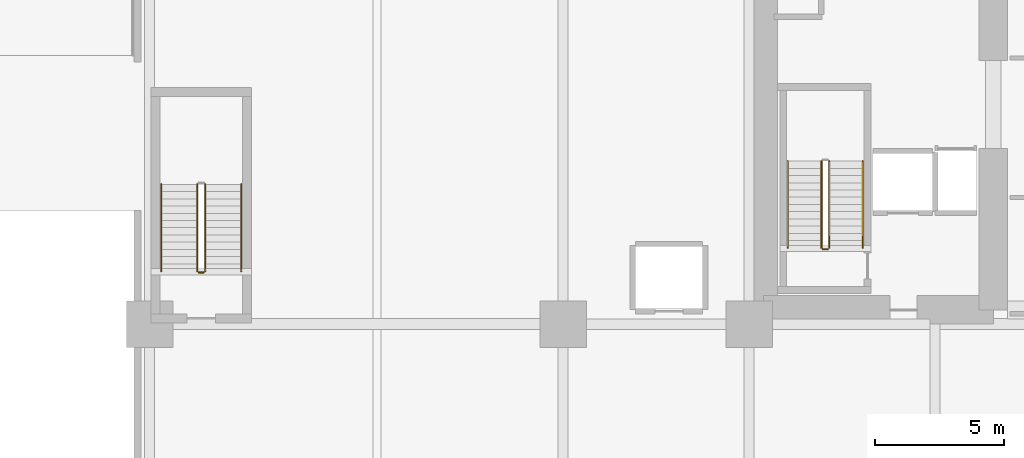
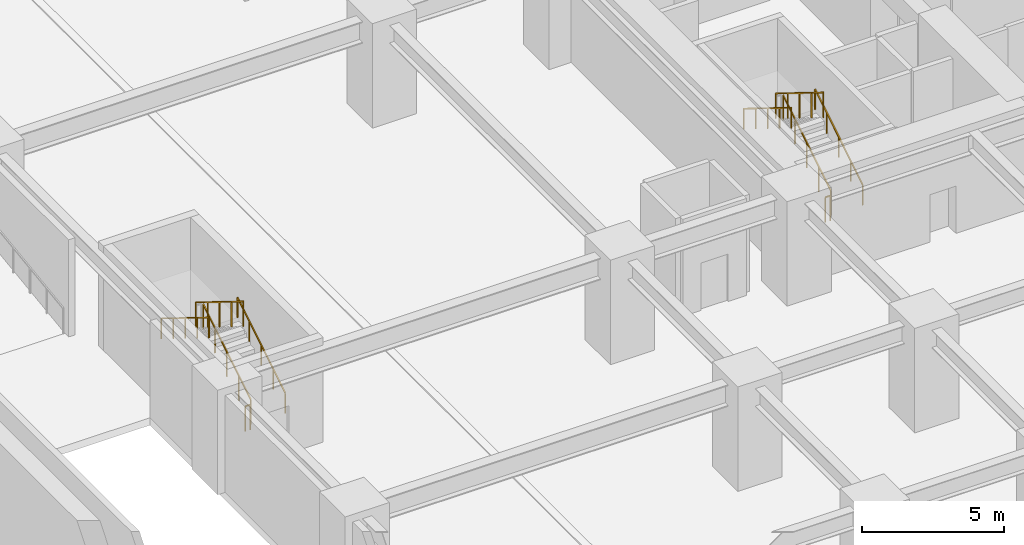
# One storey, part 13 of 20: 10 railings.
"""IFC4 building model written with IfcOpenShell, lengths in metres."""

import ifcopenshell
import ifcopenshell.guid

model = None  # the IFC model being written
_history = None  # IfcOwnerHistory: only IFC2X3 demands one
_inside = {}  # id of a spatial element -> (the spatial element, [elements in it])
_under = {}  # id of a project, library or spatial element -> (it, [spatial elements below it])
_declared = {}  # id of a project -> (the project, [libraries it declares])
_typed = {}  # id of a type object -> (the type object, [elements of that type])
_made_of = {}  # id of a material, layer set ... -> (it, [elements and type objects made of it])


def new_model(schema):
    """Start an empty IFC model of exactly this schema.

    Asked for "IFC4X3", IfcOpenShell would pick the latest addendum, in which some entities
    have other attributes; the version numbers below select the first issue.
    IFC2X3 requires an IfcOwnerHistory on every rooted entity: one is made here for all.
    """
    global model, _history
    if schema == "IFC4X3":
        model = ifcopenshell.file(schema_version=(4, 3, 0, 0))
    else:
        model = ifcopenshell.file(schema=schema)
    _inside.clear()
    _under.clear()
    _declared.clear()
    _typed.clear()
    _made_of.clear()
    _history = None
    if model.schema == "IFC2X3":
        org = make("IfcOrganization", Name="unknown")
        user = make(
            "IfcPersonAndOrganization",
            ThePerson=make("IfcPerson", FamilyName="unknown"),
            TheOrganization=org,
        )
        app = make(
            "IfcApplication",
            ApplicationDeveloper=org,
            Version="unknown",
            ApplicationFullName="unknown",
            ApplicationIdentifier="unknown",
        )
        _history = make(
            "IfcOwnerHistory",
            OwningUser=user,
            OwningApplication=app,
            ChangeAction="ADDED",
            CreationDate=0,
        )
    return model


def make(cls, **values):
    """One entity of the class cls with the attributes given. An attribute that is None is left unset."""
    return model.create_entity(
        cls, **{name: value for name, value in values.items() if value is not None}
    )


def rooted(cls, **values):
    """An entity with a GlobalId (a new one), such as an element, a storey or a relation."""
    return make(cls, GlobalId=ifcopenshell.guid.new(), OwnerHistory=_history, **values)


def si_unit(unit_type, name, prefix=None):
    """IfcSIUnit, for example si_unit("LENGTHUNIT", "METRE", prefix="MILLI")."""
    return make("IfcSIUnit", UnitType=unit_type, Prefix=prefix, Name=name)


def assignment(units):
    """IfcUnitAssignment: the units of a project."""
    return None if units is None else make("IfcUnitAssignment", Units=units)


def point(xyz):
    """IfcCartesianPoint."""
    return None if xyz is None else make("IfcCartesianPoint", Coordinates=xyz)


def direction(xyz):
    """IfcDirection."""
    return None if xyz is None else make("IfcDirection", DirectionRatios=xyz)


def frame(location, z_axis=None, x_axis=None):
    """IfcAxis2Placement3D, a coordinate frame: its origin and axes. An axis left out is left unset."""
    return make(
        "IfcAxis2Placement3D",
        Location=point(location),
        Axis=direction(z_axis),
        RefDirection=direction(x_axis),
    )


def frame_2d(location, x_axis=None):
    """IfcAxis2Placement2D, a coordinate frame in the plane: its origin and x axis."""
    return make(
        "IfcAxis2Placement2D", Location=point(location), RefDirection=direction(x_axis)
    )


def origin():
    """The frame at (0, 0, 0) with its axes left unset."""
    return frame((0.0, 0.0, 0.0))


def origin_2d():
    """The frame at (0, 0) in the plane with its x axis left unset."""
    return frame_2d((0.0, 0.0))


def place(relative_to, where):
    """IfcLocalPlacement: puts the frame where relative to a parent placement (None: the world)."""
    return make(
        "IfcLocalPlacement", PlacementRelTo=relative_to, RelativePlacement=where
    )


def context(
    kind, dimensions, precision=None, world=None, true_north=None, identifier=None
):
    """IfcGeometricRepresentationContext, for example the 3D "Model" context."""
    return make(
        "IfcGeometricRepresentationContext",
        ContextIdentifier=identifier,
        ContextType=kind,
        CoordinateSpaceDimension=dimensions,
        Precision=precision,
        WorldCoordinateSystem=world,
        TrueNorth=true_north,
    )


def subcontext(parent, identifier, kind, view, scale=None):
    """IfcGeometricRepresentationSubContext, for example "Body" below "Model"."""
    return make(
        "IfcGeometricRepresentationSubContext",
        ContextIdentifier=identifier,
        ContextType=kind,
        ParentContext=parent,
        TargetScale=scale,
        TargetView=view,
    )


def project(units=None, contexts=None):
    """IfcProject with its units and contexts."""
    return rooted(
        "IfcProject",
        Name="project",
        RepresentationContexts=contexts,
        UnitsInContext=assignment(units),
    )


def spatial(cls, under=None, at=None, **own):
    """A site, building, storey or space (cls), placed at a placement, below another one or the project."""
    s = rooted(cls, ObjectPlacement=at, **own)
    if under is not None:
        _under.setdefault(under.id(), (under, []))[1].append(s)
    return s


def profile(cls, at=None, kind="AREA", **sizes):
    """A parametric profile (cls). Its sizes go by their IFC names, for example OverallWidth=200.0."""
    return make(cls, ProfileType=kind, Position=at, **sizes)


def rectangle(**sizes):
    """IfcRectangleProfileDef."""
    return profile("IfcRectangleProfileDef", **sizes)


def extrude(swept, where, along, depth):
    """IfcExtrudedAreaSolid: the profile swept, set in the frame where, extruded along a direction by depth."""
    return make(
        "IfcExtrudedAreaSolid",
        SweptArea=swept,
        Position=where,
        ExtrudedDirection=direction(along),
        Depth=depth,
    )


def shape(context_of_items, identifier, shape_type, items):
    """IfcShapeRepresentation: the items that make up one representation, for example the "Body"."""
    return make(
        "IfcShapeRepresentation",
        ContextOfItems=context_of_items,
        RepresentationIdentifier=identifier,
        RepresentationType=shape_type,
        Items=items,
    )


def material(Name=None, Category=None):
    """IfcMaterial."""
    return make("IfcMaterial", Name=Name, Category=Category)


def made_of(thing, what):
    """Note that an element or type object is made of a material, layer set ...; save() writes the relation."""
    if what is not None:
        _made_of.setdefault(what.id(), (what, []))[1].append(thing)
    return thing


def type_object(cls, material=None, **own):
    """A type object (cls), such as IfcWallType, which elements share."""
    return made_of(rooted(cls, **own), material)


def element(
    cls,
    number,
    at=None,
    inside=None,
    cuts=None,
    type_object=None,
    material=None,
    context=None,
    identifier="Body",
    shape_type=None,
    held_by="IfcProductDefinitionShape",
    body=None,
    shapes=None,
    **own,
):
    """One element of the class cls, such as IfcWall. Its Tag is "e" and its number.

    at: its placement. inside: the storey or other place that contains it. cuts: it is an
    opening in that element (IfcRelVoidsElement). A single representation is given by context,
    identifier, shape_type and body (its items); several are given by shapes. held_by: the class
    of the entity that holds the representations. save() writes the other relations.
    """
    e = rooted(cls, Tag="e%d" % number, ObjectPlacement=at, **own)
    if body is not None:
        shapes = [shape(context, identifier, shape_type, body)]
    if shapes is not None:
        e.Representation = make(held_by, Representations=shapes)
    if inside is not None:
        _inside.setdefault(inside.id(), (inside, []))[1].append(e)
    if cuts is not None:
        rooted(
            "IfcRelVoidsElement", RelatingBuildingElement=cuts, RelatedOpeningElement=e
        )
    if type_object is not None:
        _typed.setdefault(type_object.id(), (type_object, []))[1].append(e)
    return made_of(e, material)


def aggregate(whole, parts):
    """IfcRelAggregates: a whole, such as a stair, and the parts it consists of."""
    return rooted("IfcRelAggregates", RelatingObject=whole, RelatedObjects=parts)


def save(model, path):
    """Write the relations noted so far, then the file.

    IfcRelAggregates (storeys below a building ...), IfcRelContainedInSpatialStructure (elements
    in a storey), IfcRelDefinesByType, IfcRelAssociatesMaterial and IfcRelDeclares: one each for
    every whole, place, type object, material and project.
    """
    for whole, parts in _under.values():
        aggregate(whole, parts)
    for where, things in _inside.values():
        rooted(
            "IfcRelContainedInSpatialStructure",
            RelatedElements=things,
            RelatingStructure=where,
        )
    for kind, things in _typed.values():
        rooted("IfcRelDefinesByType", RelatedObjects=things, RelatingType=kind)
    for what, things in _made_of.values():
        rooted("IfcRelAssociatesMaterial", RelatedObjects=things, RelatingMaterial=what)
    for by, libraries in _declared.values():
        rooted("IfcRelDeclares", RelatingContext=by, RelatedDefinitions=libraries)
    model.write(path)


model = new_model("IFC4")

# Units and contexts
model_context = context("Model", 3, precision=1e-05, world=origin(), true_north=direction((0.0, 1.0)))
body_context = subcontext(model_context, "Body", "Model", "MODEL_VIEW")
ifc_project = project(units=[si_unit("LENGTHUNIT", "METRE"), si_unit("AREAUNIT", "SQUARE_METRE"), si_unit("VOLUMEUNIT", "CUBIC_METRE"), si_unit("PLANEANGLEUNIT", "RADIAN"), si_unit("MASSUNIT", "GRAM", prefix="KILO")], contexts=[model_context])

# Site, building, storey
site_placement = place(None, origin())
site = spatial("IfcSite", under=ifc_project, at=site_placement, CompositionType="ELEMENT")
building_placement = place(site_placement, origin())
building = spatial("IfcBuilding", under=site, at=building_placement, Name="Kiyonajd Concourse Tower", CompositionType="ELEMENT")
storey_placement = place(building_placement, frame((0.0, 0.0, -4.5)))
storey = spatial("IfcBuildingStorey", under=building, at=storey_placement, Name="B1", CompositionType="ELEMENT", Elevation=-4.5)

# Railings
ifc_material_1 = material(Name="Steel ASTM A500 Grade C", Category="steel")
railing_type_1 = type_object("IfcRailingType", Name="RL-GRD-STR", PredefinedType="GUARDRAIL", material=ifc_material_1)
railing_1_placement = place(storey_placement, frame((35.5, 30.550048828125, 0.173095703125)))
element("IfcRailing", 1, at=railing_1_placement, inside=storey, type_object=railing_type_1, Name="B1 ST1 stair guard 1", PredefinedType="GUARDRAIL", context=body_context, shape_type="SweptSolid", body=[
    extrude(rectangle(XDim=0.048095703125, YDim=0.048095703125, at=origin_2d()), frame((0.0, 0.0, 1.076171875), z_axis=(0.0, 0.850606129759, 0.525803396734), x_axis=(-1.0, 0.0, 0.0)), (0.0, 0.0, 1.0), 3.949951171875),
    extrude(rectangle(XDim=0.0419921875, YDim=0.0419921875, at=origin_2d()), origin(), (0.0, 0.0, 1.0), 1.052001953125),
    extrude(rectangle(XDim=0.0419921875, YDim=0.0419921875, at=origin_2d()), frame((0.0, 0.83984375, 0.519287109375)), (0.0, 0.0, 1.0), 1.052001953125),
    extrude(rectangle(XDim=0.0419921875, YDim=0.0419921875, at=origin_2d()), frame((0.0, 1.679931640625, 1.03857421875)), (0.0, 0.0, 1.0), 1.052001953125),
    extrude(rectangle(XDim=0.0419921875, YDim=0.0419921875, at=origin_2d()), frame((0.0, 2.52001953125, 1.5576171875)), (0.0, 0.0, 1.0), 1.052001953125),
    extrude(rectangle(XDim=0.0419921875, YDim=0.0419921875, at=origin_2d()), frame((0.0, 3.35986328125, 2.076904296875)), (0.0, 0.0, 1.0), 1.052001953125),
])
railing_2_placement = place(storey_placement, frame((35.199951171875, 33.909912109375, 2.423095703125)))
element("IfcRailing", 2, at=railing_2_placement, inside=storey, type_object=railing_type_1, Name="B1 ST1 stair guard 3", PredefinedType="GUARDRAIL", context=body_context, shape_type="SweptSolid", body=[
    extrude(rectangle(XDim=0.048095703125, YDim=0.048095703125, at=origin_2d()), frame((0.0, 0.0, 1.076171875), z_axis=(0.0, -0.850606129759, 0.525803396734), x_axis=(1.0, 0.0, 0.0)), (0.0, 0.0, 1.0), 3.949951171875),
    extrude(rectangle(XDim=0.0419921875, YDim=0.0419921875, at=origin_2d()), origin(), (0.0, 0.0, 1.0), 1.052001953125),
    extrude(rectangle(XDim=0.0419921875, YDim=0.0419921875, at=origin_2d()), frame((0.0, -0.83984375, 0.519287109375)), (0.0, 0.0, 1.0), 1.052001953125),
    extrude(rectangle(XDim=0.0419921875, YDim=0.0419921875, at=origin_2d()), frame((0.0, -1.679931640625, 1.03857421875)), (0.0, 0.0, 1.0), 1.052001953125),
    extrude(rectangle(XDim=0.0419921875, YDim=0.0419921875, at=origin_2d()), frame((0.0, -2.52001953125, 1.5576171875)), (0.0, 0.0, 1.0), 1.052001953125),
    extrude(rectangle(XDim=0.0419921875, YDim=0.0419921875, at=origin_2d()), frame((0.0, -3.35986328125, 2.076904296875)), (0.0, 0.0, 1.0), 1.052001953125),
])
railing_3_placement = place(storey_placement, frame((35.449951171875, 30.5, 0.0)))
element("IfcRailing", 3, at=railing_3_placement, inside=storey, type_object=railing_type_1, Name="B1 ST1 stair guard 4", PredefinedType="GUARDRAIL", context=body_context, shape_type="SweptSolid", body=[
    extrude(rectangle(XDim=0.048095703125, YDim=0.048095703125, at=origin_2d()), frame((0.0, 0.0, 1.076171875), z_axis=(-1.0, 0.0, 0.0), x_axis=(0.0, -1.0, 0.0)), (0.0, 0.0, 1.0), 0.199951171875),
    extrude(rectangle(XDim=0.0419921875, YDim=0.0419921875, at=origin_2d()), origin(), (0.0, 0.0, 1.0), 1.052001953125),
    extrude(rectangle(XDim=0.0419921875, YDim=0.0419921875, at=origin_2d()), frame((-0.199951171875, 0.0, 0.0)), (0.0, 0.0, 1.0), 1.052001953125),
])
railing_4_placement = place(storey_placement, frame((11.35009765625, 29.64990234375, 0.173095703125)))
element("IfcRailing", 4, at=railing_4_placement, inside=storey, type_object=railing_type_1, Name="B1 ST4 stair guard 1", PredefinedType="GUARDRAIL", context=body_context, shape_type="SweptSolid", body=[
    extrude(rectangle(XDim=0.048095703125, YDim=0.048095703125, at=origin_2d()), frame((0.0, 0.0, 1.076171875), z_axis=(0.0, 0.850623216509, 0.525775754039), x_axis=(-1.0, 0.0, 0.0)), (0.0, 0.0, 1.0), 3.9501953125),
    extrude(rectangle(XDim=0.0419921875, YDim=0.0419921875, at=origin_2d()), origin(), (0.0, 0.0, 1.0), 1.052001953125),
    extrude(rectangle(XDim=0.0419921875, YDim=0.0419921875, at=origin_2d()), frame((0.0, 0.840087890625, 0.519287109375)), (0.0, 0.0, 1.0), 1.052001953125),
    extrude(rectangle(XDim=0.0419921875, YDim=0.0419921875, at=origin_2d()), frame((0.0, 1.68017578125, 1.03857421875)), (0.0, 0.0, 1.0), 1.052001953125),
    extrude(rectangle(XDim=0.0419921875, YDim=0.0419921875, at=origin_2d()), frame((0.0, 2.52001953125, 1.5576171875)), (0.0, 0.0, 1.0), 1.052001953125),
    extrude(rectangle(XDim=0.0419921875, YDim=0.0419921875, at=origin_2d()), frame((0.0, 3.360107421875, 2.076904296875)), (0.0, 0.0, 1.0), 1.052001953125),
])
railing_5_placement = place(storey_placement, frame((11.050048828125, 33.010009765625, 2.423095703125)))
element("IfcRailing", 5, at=railing_5_placement, inside=storey, type_object=railing_type_1, Name="B1 ST4 stair guard 3", PredefinedType="GUARDRAIL", context=body_context, shape_type="SweptSolid", body=[
    extrude(rectangle(XDim=0.048095703125, YDim=0.048095703125, at=origin_2d()), frame((0.0, 0.0, 1.076171875), z_axis=(0.0, -0.850623216509, 0.525775754039), x_axis=(1.0, 0.0, 0.0)), (0.0, 0.0, 1.0), 3.9501953125),
    extrude(rectangle(XDim=0.0419921875, YDim=0.0419921875, at=origin_2d()), origin(), (0.0, 0.0, 1.0), 1.052001953125),
    extrude(rectangle(XDim=0.0419921875, YDim=0.0419921875, at=origin_2d()), frame((0.0, -0.840087890625, 0.519287109375)), (0.0, 0.0, 1.0), 1.052001953125),
    extrude(rectangle(XDim=0.0419921875, YDim=0.0419921875, at=origin_2d()), frame((0.0, -1.68017578125, 1.03857421875)), (0.0, 0.0, 1.0), 1.052001953125),
    extrude(rectangle(XDim=0.0419921875, YDim=0.0419921875, at=origin_2d()), frame((0.0, -2.52001953125, 1.5576171875)), (0.0, 0.0, 1.0), 1.052001953125),
    extrude(rectangle(XDim=0.0419921875, YDim=0.0419921875, at=origin_2d()), frame((0.0, -3.360107421875, 2.076904296875)), (0.0, 0.0, 1.0), 1.052001953125),
])
railing_6_placement = place(storey_placement, frame((11.300048828125, 29.60009765625, 0.0)))
element("IfcRailing", 6, at=railing_6_placement, inside=storey, type_object=railing_type_1, Name="B1 ST4 stair guard 4", PredefinedType="GUARDRAIL", context=body_context, shape_type="SweptSolid", body=[
    extrude(rectangle(XDim=0.048095703125, YDim=0.048095703125, at=origin_2d()), frame((0.0, 0.0, 1.076171875), z_axis=(-1.0, 0.0, 0.0), x_axis=(0.0, -1.0, 0.0)), (0.0, 0.0, 1.0), 0.199951171875),
    extrude(rectangle(XDim=0.0419921875, YDim=0.0419921875, at=origin_2d()), origin(), (0.0, 0.0, 1.0), 1.052001953125),
    extrude(rectangle(XDim=0.0419921875, YDim=0.0419921875, at=origin_2d()), frame((-0.199951171875, 0.0, 0.0)), (0.0, 0.0, 1.0), 1.052001953125),
])
ifc_material_2 = material(Name="Brushed Stainless Steel Cab Assembly", Category="steel")
railing_type_2 = type_object("IfcRailingType", Name="RL-HND-900", PredefinedType="HANDRAIL", material=ifc_material_2)
railing_7_placement = place(storey_placement, frame((36.800048828125, 30.550048828125, 0.173095703125)))
element("IfcRailing", 7, at=railing_7_placement, inside=storey, type_object=railing_type_2, Name="B1 ST1 stair handrail 1", PredefinedType="HANDRAIL", context=body_context, shape_type="SweptSolid", body=[
    extrude(rectangle(XDim=0.048095703125, YDim=0.048095703125, at=origin_2d()), frame((0.0, 0.0, 0.8759765625), z_axis=(0.0, 0.850606129759, 0.525803396734), x_axis=(-1.0, 0.0, 0.0)), (0.0, 0.0, 1.0), 3.949951171875),
    extrude(rectangle(XDim=0.0419921875, YDim=0.0419921875, at=origin_2d()), origin(), (0.0, 0.0, 1.0), 0.851806640625),
    extrude(rectangle(XDim=0.0419921875, YDim=0.0419921875, at=origin_2d()), frame((0.0, 0.83984375, 0.519287109375)), (0.0, 0.0, 1.0), 0.851806640625),
    extrude(rectangle(XDim=0.0419921875, YDim=0.0419921875, at=origin_2d()), frame((0.0, 1.679931640625, 1.03857421875)), (0.0, 0.0, 1.0), 0.851806640625),
    extrude(rectangle(XDim=0.0419921875, YDim=0.0419921875, at=origin_2d()), frame((0.0, 2.52001953125, 1.5576171875)), (0.0, 0.0, 1.0), 0.851806640625),
    extrude(rectangle(XDim=0.0419921875, YDim=0.0419921875, at=origin_2d()), frame((0.0, 3.35986328125, 2.076904296875)), (0.0, 0.0, 1.0), 0.851806640625),
])
railing_8_placement = place(storey_placement, frame((33.89990234375, 33.909912109375, 2.423095703125)))
element("IfcRailing", 8, at=railing_8_placement, inside=storey, type_object=railing_type_2, Name="B1 ST1 stair handrail 2", PredefinedType="HANDRAIL", context=body_context, shape_type="SweptSolid", body=[
    extrude(rectangle(XDim=0.048095703125, YDim=0.048095703125, at=origin_2d()), frame((0.0, 0.0, 0.8759765625), z_axis=(0.0, -0.850606129759, 0.525803396734), x_axis=(1.0, 0.0, 0.0)), (0.0, 0.0, 1.0), 3.949951171875),
    extrude(rectangle(XDim=0.0419921875, YDim=0.0419921875, at=origin_2d()), origin(), (0.0, 0.0, 1.0), 0.851806640625),
    extrude(rectangle(XDim=0.0419921875, YDim=0.0419921875, at=origin_2d()), frame((0.0, -0.83984375, 0.519287109375)), (0.0, 0.0, 1.0), 0.851806640625),
    extrude(rectangle(XDim=0.0419921875, YDim=0.0419921875, at=origin_2d()), frame((0.0, -1.679931640625, 1.03857421875)), (0.0, 0.0, 1.0), 0.851806640625),
    extrude(rectangle(XDim=0.0419921875, YDim=0.0419921875, at=origin_2d()), frame((0.0, -2.52001953125, 1.5576171875)), (0.0, 0.0, 1.0), 0.851806640625),
    extrude(rectangle(XDim=0.0419921875, YDim=0.0419921875, at=origin_2d()), frame((0.0, -3.35986328125, 2.076904296875)), (0.0, 0.0, 1.0), 0.851806640625),
])
railing_9_placement = place(storey_placement, frame((12.75, 29.64990234375, 0.173095703125)))
element("IfcRailing", 9, at=railing_9_placement, inside=storey, type_object=railing_type_2, Name="B1 ST4 stair handrail 1", PredefinedType="HANDRAIL", context=body_context, shape_type="SweptSolid", body=[
    extrude(rectangle(XDim=0.048095703125, YDim=0.048095703125, at=origin_2d()), frame((0.0, 0.0, 0.8759765625), z_axis=(0.0, 0.850623216509, 0.525775754039), x_axis=(-1.0, 0.0, 0.0)), (0.0, 0.0, 1.0), 3.9501953125),
    extrude(rectangle(XDim=0.0419921875, YDim=0.0419921875, at=origin_2d()), origin(), (0.0, 0.0, 1.0), 0.851806640625),
    extrude(rectangle(XDim=0.0419921875, YDim=0.0419921875, at=origin_2d()), frame((0.0, 0.840087890625, 0.519287109375)), (0.0, 0.0, 1.0), 0.851806640625),
    extrude(rectangle(XDim=0.0419921875, YDim=0.0419921875, at=origin_2d()), frame((0.0, 1.68017578125, 1.03857421875)), (0.0, 0.0, 1.0), 0.851806640625),
    extrude(rectangle(XDim=0.0419921875, YDim=0.0419921875, at=origin_2d()), frame((0.0, 2.52001953125, 1.5576171875)), (0.0, 0.0, 1.0), 0.851806640625),
    extrude(rectangle(XDim=0.0419921875, YDim=0.0419921875, at=origin_2d()), frame((0.0, 3.360107421875, 2.076904296875)), (0.0, 0.0, 1.0), 0.851806640625),
])
railing_10_placement = place(storey_placement, frame((9.64990234375, 33.010009765625, 2.423095703125)))
element("IfcRailing", 10, at=railing_10_placement, inside=storey, type_object=railing_type_2, Name="B1 ST4 stair handrail 2", PredefinedType="HANDRAIL", context=body_context, shape_type="SweptSolid", body=[
    extrude(rectangle(XDim=0.048095703125, YDim=0.048095703125, at=origin_2d()), frame((0.0, 0.0, 0.8759765625), z_axis=(0.0, -0.850623216509, 0.525775754039), x_axis=(1.0, 0.0, 0.0)), (0.0, 0.0, 1.0), 3.9501953125),
    extrude(rectangle(XDim=0.0419921875, YDim=0.0419921875, at=origin_2d()), origin(), (0.0, 0.0, 1.0), 0.851806640625),
    extrude(rectangle(XDim=0.0419921875, YDim=0.0419921875, at=origin_2d()), frame((0.0, -0.840087890625, 0.519287109375)), (0.0, 0.0, 1.0), 0.851806640625),
    extrude(rectangle(XDim=0.0419921875, YDim=0.0419921875, at=origin_2d()), frame((0.0, -1.68017578125, 1.03857421875)), (0.0, 0.0, 1.0), 0.851806640625),
    extrude(rectangle(XDim=0.0419921875, YDim=0.0419921875, at=origin_2d()), frame((0.0, -2.52001953125, 1.5576171875)), (0.0, 0.0, 1.0), 0.851806640625),
    extrude(rectangle(XDim=0.0419921875, YDim=0.0419921875, at=origin_2d()), frame((0.0, -3.360107421875, 2.076904296875)), (0.0, 0.0, 1.0), 0.851806640625),
])

save(model, "model.ifc")
